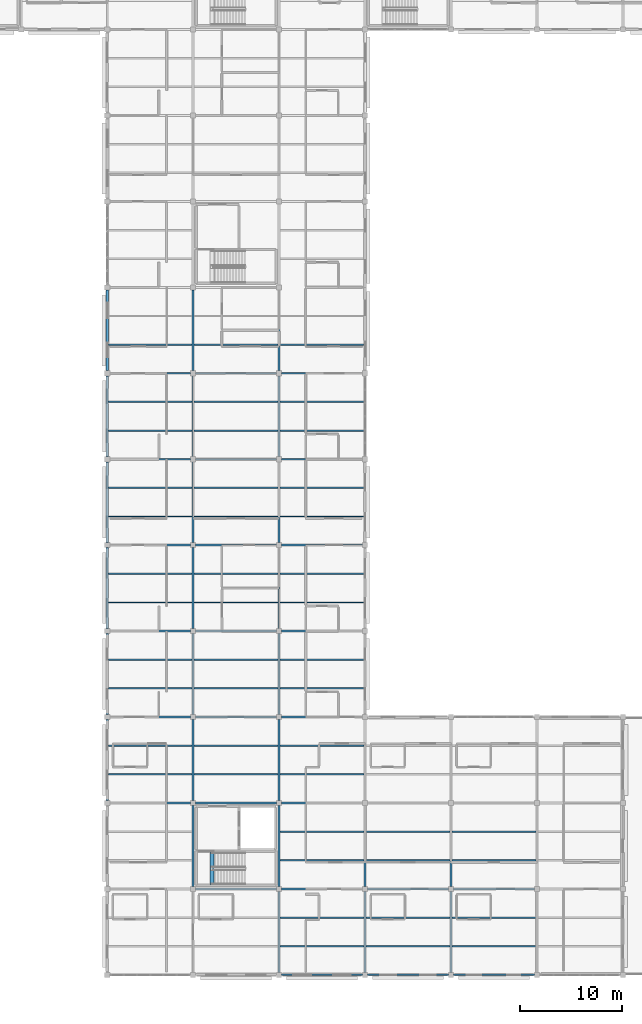
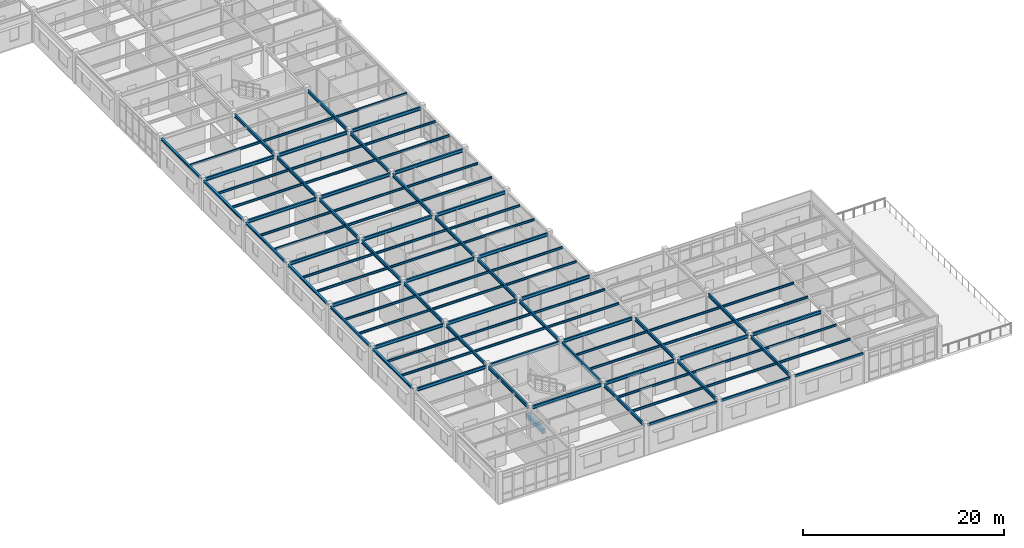
# One storey, part 5 of 53: 96 beams.
"""IFC4 building model written with IfcOpenShell, lengths in metres."""

from ifc_helpers import new_model, si_unit, direction, frame, origin, origin_2d, place, context, subcontext, project, spatial, rectangle, hollow_rectangle, i_section, extrude, material, material_profile, profile_set, type_object, element, save


model = new_model("IFC4")

# Units and contexts
model_context = context("Model", 3, precision=1e-05, world=origin(), true_north=direction((0.0, 1.0)))
body_context = subcontext(model_context, "Body", "Model", "MODEL_VIEW")
ifc_project = project(units=[si_unit("LENGTHUNIT", "METRE"), si_unit("AREAUNIT", "SQUARE_METRE"), si_unit("VOLUMEUNIT", "CUBIC_METRE"), si_unit("PLANEANGLEUNIT", "RADIAN"), si_unit("MASSUNIT", "GRAM", prefix="KILO")], contexts=[model_context])

# Site, building, storey
site_placement = place(None, origin())
site = spatial("IfcSite", under=ifc_project, at=site_placement, CompositionType="ELEMENT")
building_placement = place(site_placement, origin())
building = spatial("IfcBuilding", under=site, at=building_placement, Name="Bramfleet General Hospital", CompositionType="ELEMENT")
storey_placement = place(building_placement, frame((0.0, 0.0, 26.39990234375)))
storey = spatial("IfcBuildingStorey", under=building, at=storey_placement, Name="L06", CompositionType="ELEMENT", Elevation=26.39990234375)

# Beams
ifc_material_1 = material(Name="Steel S355", Category="steel")
ifc_material_profile_1 = material_profile(ifc_material_1, i_section(OverallWidth=0.239990234375, OverallDepth=0.22998046875, WebThickness=0.007568359375, FlangeThickness=0.011962890625, FilletRadius=0.02099609375, at=origin_2d()), Name="HEA 240")
ifc_profile_set_1 = profile_set([ifc_material_profile_1], Name="Steel S355")
beam_type_1 = type_object("IfcBeamType", Name="BM-HEA240", PredefinedType="SPANDREL", material=ifc_profile_set_1)
beam_1_placement = place(storey_placement, frame((92.39990234375, 17.050048828125, 3.505126953125), z_axis=(0.0, 1.0, 0.0), x_axis=(-1.0, 0.0, 0.0)))
element("IfcBeam", 1, at=beam_1_placement, inside=storey, type_object=beam_type_1, Name="L06 Grid Beam Y 11-02", PredefinedType="SPANDREL", context=body_context, shape_type="SweptSolid", body=[
    extrude(i_section(OverallWidth=0.239990234375, OverallDepth=0.22998046875, WebThickness=0.007568359375, FlangeThickness=0.011962890625, FilletRadius=0.02099609375, at=origin_2d()), origin(), (0.0, 0.0, 1.0), 7.89990234375),
])
beam_2_placement = place(storey_placement, frame((92.39990234375, 25.449951171875, 3.505126953125), z_axis=(0.0, 1.0, 0.0), x_axis=(-1.0, 0.0, 0.0)))
element("IfcBeam", 2, at=beam_2_placement, inside=storey, type_object=beam_type_1, Name="L06 Grid Beam Y 11-03", PredefinedType="SPANDREL", context=body_context, shape_type="SweptSolid", body=[
    extrude(i_section(OverallWidth=0.239990234375, OverallDepth=0.22998046875, WebThickness=0.007568359375, FlangeThickness=0.011962890625, FilletRadius=0.02099609375, at=origin_2d()), origin(), (0.0, 0.0, 1.0), 7.900146484375),
])
for number, where, z_axis, x_axis, name in (
    (3, (92.39990234375, 33.85009765625, 3.505126953125), (0.0, 1.0, 0.0), (-1.0, 0.0, 0.0), "L06 Grid Beam Y 11-04"),
    (4, (92.39990234375, 42.25, 3.505126953125), (0.0, 1.0, 0.0), (-1.0, 0.0, 0.0), "L06 Grid Beam Y 11-05"),
):
    element("IfcBeam", number, at=place(storey_placement, frame(where, z_axis=z_axis, x_axis=x_axis)), inside=storey, type_object=beam_type_1, Name=name, PredefinedType="SPANDREL", context=body_context, shape_type="SweptSolid", body=[
        extrude(i_section(OverallWidth=0.239990234375, OverallDepth=0.22998046875, WebThickness=0.007568359375, FlangeThickness=0.011962890625, FilletRadius=0.02099609375, at=origin_2d()), origin(), (0.0, 0.0, 1.0), 7.89990234375),
    ])
beam_3_placement = place(storey_placement, frame((92.39990234375, 50.64990234375, 3.505126953125), z_axis=(0.0, 1.0, 0.0), x_axis=(-1.0, 0.0, 0.0)))
element("IfcBeam", 5, at=beam_3_placement, inside=storey, type_object=beam_type_1, Name="L06 Grid Beam Y 11-06", PredefinedType="SPANDREL", context=body_context, shape_type="SweptSolid", body=[
    extrude(i_section(OverallWidth=0.239990234375, OverallDepth=0.22998046875, WebThickness=0.007568359375, FlangeThickness=0.011962890625, FilletRadius=0.02099609375, at=origin_2d()), origin(), (0.0, 0.0, 1.0), 7.900146484375),
])
beam_4_placement = place(storey_placement, frame((92.39990234375, 59.050048828125, 3.505126953125), z_axis=(0.0, 1.0, 0.0), x_axis=(-1.0, 0.0, 0.0)))
element("IfcBeam", 6, at=beam_4_placement, inside=storey, type_object=beam_type_1, Name="L06 Grid Beam Y 11-07", PredefinedType="SPANDREL", context=body_context, shape_type="SweptSolid", body=[
    extrude(i_section(OverallWidth=0.239990234375, OverallDepth=0.22998046875, WebThickness=0.007568359375, FlangeThickness=0.011962890625, FilletRadius=0.02099609375, at=origin_2d()), origin(), (0.0, 0.0, 1.0), 7.89990234375),
])
ifc_material_profile_2 = material_profile(ifc_material_1, i_section(OverallWidth=0.135009765625, OverallDepth=0.27001953125, WebThickness=0.006591796875, FlangeThickness=0.01025390625, FilletRadius=0.014892578125, at=origin_2d()), Name="IPE 270")
ifc_profile_set_2 = profile_set([ifc_material_profile_2], Name="Steel S355")
beam_type_2 = type_object("IfcBeamType", Name="BM-IPE270", PredefinedType="JOIST", material=ifc_profile_set_2)
for number, where, z_axis, x_axis, name in (
    (7, (92.52001953125, 19.60009765625, 3.485107421875), (1.0, 0.0, 0.0), (0.0, 1.0, 0.0), "L06 Secondary Joist 11-02-1"),
    (8, (92.52001953125, 22.39990234375, 3.485107421875), (1.0, 0.0, 0.0), (0.0, 1.0, 0.0), "L06 Secondary Joist 11-02-2"),
    (9, (92.52001953125, 28.0, 3.485107421875), (1.0, 0.0, 0.0), (0.0, 1.0, 0.0), "L06 Secondary Joist 11-03-1"),
    (10, (92.52001953125, 30.800048828125, 3.485107421875), (1.0, 0.0, 0.0), (0.0, 1.0, 0.0), "L06 Secondary Joist 11-03-2"),
    (11, (92.52001953125, 36.39990234375, 3.485107421875), (1.0, 0.0, 0.0), (0.0, 1.0, 0.0), "L06 Secondary Joist 11-04-1"),
    (12, (92.52001953125, 39.199951171875, 3.485107421875), (1.0, 0.0, 0.0), (0.0, 1.0, 0.0), "L06 Secondary Joist 11-04-2"),
    (13, (92.52001953125, 44.800048828125, 3.485107421875), (1.0, 0.0, 0.0), (0.0, 1.0, 0.0), "L06 Secondary Joist 11-05-1"),
    (14, (92.52001953125, 47.60009765625, 3.485107421875), (1.0, 0.0, 0.0), (0.0, 1.0, 0.0), "L06 Secondary Joist 11-05-2"),
    (15, (92.52001953125, 53.199951171875, 3.485107421875), (1.0, 0.0, 0.0), (0.0, 1.0, 0.0), "L06 Secondary Joist 11-06-1"),
    (16, (92.52001953125, 56.0, 3.485107421875), (1.0, 0.0, 0.0), (0.0, 1.0, 0.0), "L06 Secondary Joist 11-06-2"),
    (17, (92.52001953125, 61.60009765625, 3.485107421875), (1.0, 0.0, 0.0), (0.0, 1.0, 0.0), "L06 Secondary Joist 11-07-1"),
):
    element("IfcBeam", number, at=place(storey_placement, frame(where, z_axis=z_axis, x_axis=x_axis)), inside=storey, type_object=beam_type_2, Name=name, PredefinedType="JOIST", context=body_context, shape_type="SweptSolid", body=[
        extrude(i_section(OverallWidth=0.135009765625, OverallDepth=0.27001953125, WebThickness=0.006591796875, FlangeThickness=0.01025390625, FilletRadius=0.014892578125, at=origin_2d()), origin(), (0.0, 0.0, 1.0), 8.18994140625),
    ])
for number, where, z_axis, x_axis, name in (
    (18, (100.889892578125, 19.60009765625, 3.485107421875), (1.0, 0.0, 0.0), (0.0, 1.0, 0.0), "L06 Secondary Joist 12-02-1"),
    (19, (100.889892578125, 22.39990234375, 3.485107421875), (1.0, 0.0, 0.0), (0.0, 1.0, 0.0), "L06 Secondary Joist 12-02-2"),
    (20, (100.889892578125, 28.0, 3.485107421875), (1.0, 0.0, 0.0), (0.0, 1.0, 0.0), "L06 Secondary Joist 12-03-1"),
    (21, (100.889892578125, 30.800048828125, 3.485107421875), (1.0, 0.0, 0.0), (0.0, 1.0, 0.0), "L06 Secondary Joist 12-03-2"),
    (22, (100.889892578125, 36.39990234375, 3.485107421875), (1.0, 0.0, 0.0), (0.0, 1.0, 0.0), "L06 Secondary Joist 12-04-1"),
    (23, (100.889892578125, 39.199951171875, 3.485107421875), (1.0, 0.0, 0.0), (0.0, 1.0, 0.0), "L06 Secondary Joist 12-04-2"),
    (24, (100.889892578125, 44.800048828125, 3.485107421875), (1.0, 0.0, 0.0), (0.0, 1.0, 0.0), "L06 Secondary Joist 12-05-1"),
    (25, (100.889892578125, 47.60009765625, 3.485107421875), (1.0, 0.0, 0.0), (0.0, 1.0, 0.0), "L06 Secondary Joist 12-05-2"),
    (26, (100.889892578125, 53.199951171875, 3.485107421875), (1.0, 0.0, 0.0), (0.0, 1.0, 0.0), "L06 Secondary Joist 12-06-1"),
    (27, (100.889892578125, 56.0, 3.485107421875), (1.0, 0.0, 0.0), (0.0, 1.0, 0.0), "L06 Secondary Joist 12-06-2"),
    (28, (100.889892578125, 61.60009765625, 3.485107421875), (1.0, 0.0, 0.0), (0.0, 1.0, 0.0), "L06 Secondary Joist 12-07-1"),
):
    element("IfcBeam", number, at=place(storey_placement, frame(where, z_axis=z_axis, x_axis=x_axis)), inside=storey, type_object=beam_type_2, Name=name, PredefinedType="JOIST", context=body_context, shape_type="SweptSolid", body=[
        extrude(i_section(OverallWidth=0.135009765625, OverallDepth=0.27001953125, WebThickness=0.006591796875, FlangeThickness=0.01025390625, FilletRadius=0.014892578125, at=origin_2d()), origin(), (0.0, 0.0, 1.0), 8.22021484375),
    ])
for number, where, z_axis, x_axis, name in (
    (29, (109.2900390625, 2.800048828125, 3.485107421875), (1.0, 0.0, 0.0), (0.0, 1.0, 0.0), "L06 Secondary Joist 13-00-1"),
    (30, (109.2900390625, 5.60009765625, 3.485107421875), (1.0, 0.0, 0.0), (0.0, 1.0, 0.0), "L06 Secondary Joist 13-00-2"),
    (31, (109.2900390625, 11.199951171875, 3.485107421875), (1.0, 0.0, 0.0), (0.0, 1.0, 0.0), "L06 Secondary Joist 13-01-1"),
    (32, (109.2900390625, 14.0, 3.485107421875), (1.0, 0.0, 0.0), (0.0, 1.0, 0.0), "L06 Secondary Joist 13-01-2"),
    (33, (109.2900390625, 19.60009765625, 3.485107421875), (1.0, 0.0, 0.0), (0.0, 1.0, 0.0), "L06 Secondary Joist 13-02-1"),
    (34, (109.2900390625, 22.39990234375, 3.485107421875), (1.0, 0.0, 0.0), (0.0, 1.0, 0.0), "L06 Secondary Joist 13-02-2"),
):
    element("IfcBeam", number, at=place(storey_placement, frame(where, z_axis=z_axis, x_axis=x_axis)), inside=storey, type_object=beam_type_2, Name=name, PredefinedType="JOIST", context=body_context, shape_type="SweptSolid", body=[
        extrude(i_section(OverallWidth=0.135009765625, OverallDepth=0.27001953125, WebThickness=0.006591796875, FlangeThickness=0.01025390625, FilletRadius=0.014892578125, at=origin_2d()), origin(), (0.0, 0.0, 1.0), 8.219970703125),
    ])
for number, where, z_axis, x_axis, name in (
    (35, (109.2900390625, 28.0, 3.485107421875), (1.0, 0.0, 0.0), (0.0, 1.0, 0.0), "L06 Secondary Joist 13-03-1"),
    (36, (109.2900390625, 30.800048828125, 3.485107421875), (1.0, 0.0, 0.0), (0.0, 1.0, 0.0), "L06 Secondary Joist 13-03-2"),
    (37, (109.2900390625, 36.39990234375, 3.485107421875), (1.0, 0.0, 0.0), (0.0, 1.0, 0.0), "L06 Secondary Joist 13-04-1"),
    (38, (109.2900390625, 39.199951171875, 3.485107421875), (1.0, 0.0, 0.0), (0.0, 1.0, 0.0), "L06 Secondary Joist 13-04-2"),
    (39, (109.2900390625, 44.800048828125, 3.485107421875), (1.0, 0.0, 0.0), (0.0, 1.0, 0.0), "L06 Secondary Joist 13-05-1"),
    (40, (109.2900390625, 47.60009765625, 3.485107421875), (1.0, 0.0, 0.0), (0.0, 1.0, 0.0), "L06 Secondary Joist 13-05-2"),
    (41, (109.2900390625, 53.199951171875, 3.485107421875), (1.0, 0.0, 0.0), (0.0, 1.0, 0.0), "L06 Secondary Joist 13-06-1"),
    (42, (109.2900390625, 56.0, 3.485107421875), (1.0, 0.0, 0.0), (0.0, 1.0, 0.0), "L06 Secondary Joist 13-06-2"),
):
    element("IfcBeam", number, at=place(storey_placement, frame(where, z_axis=z_axis, x_axis=x_axis)), inside=storey, type_object=beam_type_2, Name=name, PredefinedType="JOIST", context=body_context, shape_type="SweptSolid", body=[
        extrude(i_section(OverallWidth=0.135009765625, OverallDepth=0.27001953125, WebThickness=0.006591796875, FlangeThickness=0.01025390625, FilletRadius=0.014892578125, at=origin_2d()), origin(), (0.0, 0.0, 1.0), 8.18994140625),
    ])
beam_5_placement = place(storey_placement, frame((109.2900390625, 61.60009765625, 3.485107421875), z_axis=(1.0, 0.0, 0.0), x_axis=(0.0, 1.0, 0.0)))
element("IfcBeam", 43, at=beam_5_placement, inside=storey, type_object=beam_type_2, Name="L06 Secondary Joist 13-07-1", PredefinedType="JOIST", context=body_context, shape_type="SweptSolid", body=[
    extrude(i_section(OverallWidth=0.135009765625, OverallDepth=0.27001953125, WebThickness=0.006591796875, FlangeThickness=0.01025390625, FilletRadius=0.014892578125, at=origin_2d()), origin(), (0.0, 0.0, 1.0), 8.159912109375),
])
for number, where, z_axis, x_axis, name in (
    (44, (117.68994140625, 2.800048828125, 3.485107421875), (1.0, 0.0, 0.0), (0.0, 1.0, 0.0), "L06 Secondary Joist 14-00-1"),
    (45, (117.68994140625, 5.60009765625, 3.485107421875), (1.0, 0.0, 0.0), (0.0, 1.0, 0.0), "L06 Secondary Joist 14-00-2"),
    (46, (117.68994140625, 11.199951171875, 3.485107421875), (1.0, 0.0, 0.0), (0.0, 1.0, 0.0), "L06 Secondary Joist 14-01-1"),
    (47, (117.68994140625, 14.0, 3.485107421875), (1.0, 0.0, 0.0), (0.0, 1.0, 0.0), "L06 Secondary Joist 14-01-2"),
    (48, (126.090087890625, 2.800048828125, 3.485107421875), (1.0, 0.0, 0.0), (0.0, 1.0, 0.0), "L06 Secondary Joist 15-00-1"),
    (49, (126.090087890625, 5.60009765625, 3.485107421875), (1.0, 0.0, 0.0), (0.0, 1.0, 0.0), "L06 Secondary Joist 15-00-2"),
    (50, (126.090087890625, 11.199951171875, 3.485107421875), (1.0, 0.0, 0.0), (0.0, 1.0, 0.0), "L06 Secondary Joist 15-01-1"),
    (51, (126.090087890625, 14.0, 3.485107421875), (1.0, 0.0, 0.0), (0.0, 1.0, 0.0), "L06 Secondary Joist 15-01-2"),
):
    element("IfcBeam", number, at=place(storey_placement, frame(where, z_axis=z_axis, x_axis=x_axis)), inside=storey, type_object=beam_type_2, Name=name, PredefinedType="JOIST", context=body_context, shape_type="SweptSolid", body=[
        extrude(i_section(OverallWidth=0.135009765625, OverallDepth=0.27001953125, WebThickness=0.006591796875, FlangeThickness=0.01025390625, FilletRadius=0.014892578125, at=origin_2d()), origin(), (0.0, 0.0, 1.0), 8.219970703125),
    ])
ifc_material_profile_3 = material_profile(ifc_material_1, i_section(OverallWidth=0.179931640625, OverallDepth=0.39990234375, WebThickness=0.008544921875, FlangeThickness=0.013427734375, FilletRadius=0.02099609375, at=origin_2d()), Name="IPE 400")
ifc_profile_set_3 = profile_set([ifc_material_profile_3], Name="Steel S355")
beam_type_3 = type_object("IfcBeamType", Name="BM-IPE400", PredefinedType="BEAM", material=ifc_profile_set_3)
for number, where, z_axis, x_axis, name in (
    (52, (92.64990234375, 16.800048828125, 3.420166015625), (1.0, 0.0, 0.0), (0.0, 1.0, 0.0), "L06 Grid Beam X 11-02"),
    (53, (92.64990234375, 25.199951171875, 3.420166015625), (1.0, 0.0, 0.0), (0.0, 1.0, 0.0), "L06 Grid Beam X 11-03"),
    (54, (92.64990234375, 33.60009765625, 3.420166015625), (1.0, 0.0, 0.0), (0.0, 1.0, 0.0), "L06 Grid Beam X 11-04"),
    (55, (92.64990234375, 42.0, 3.420166015625), (1.0, 0.0, 0.0), (0.0, 1.0, 0.0), "L06 Grid Beam X 11-05"),
    (56, (92.64990234375, 50.39990234375, 3.420166015625), (1.0, 0.0, 0.0), (0.0, 1.0, 0.0), "L06 Grid Beam X 11-06"),
    (57, (92.64990234375, 58.800048828125, 3.420166015625), (1.0, 0.0, 0.0), (0.0, 1.0, 0.0), "L06 Grid Beam X 11-07"),
):
    element("IfcBeam", number, at=place(storey_placement, frame(where, z_axis=z_axis, x_axis=x_axis)), inside=storey, type_object=beam_type_3, Name=name, PredefinedType="BEAM", context=body_context, shape_type="SweptSolid", body=[
        extrude(i_section(OverallWidth=0.179931640625, OverallDepth=0.39990234375, WebThickness=0.008544921875, FlangeThickness=0.013427734375, FilletRadius=0.02099609375, at=origin_2d()), origin(), (0.0, 0.0, 1.0), 7.900146484375),
    ])
for number, where, z_axis, x_axis, name in (
    (58, (101.050048828125, 8.39990234375, 3.420166015625), (1.0, 0.0, 0.0), (0.0, 1.0, 0.0), "L06 Grid Beam X 12-01"),
    (59, (101.050048828125, 16.800048828125, 3.420166015625), (1.0, 0.0, 0.0), (0.0, 1.0, 0.0), "L06 Grid Beam X 12-02"),
    (60, (101.050048828125, 25.199951171875, 3.420166015625), (1.0, 0.0, 0.0), (0.0, 1.0, 0.0), "L06 Grid Beam X 12-03"),
    (61, (101.050048828125, 33.60009765625, 3.420166015625), (1.0, 0.0, 0.0), (0.0, 1.0, 0.0), "L06 Grid Beam X 12-04"),
    (62, (101.050048828125, 42.0, 3.420166015625), (1.0, 0.0, 0.0), (0.0, 1.0, 0.0), "L06 Grid Beam X 12-05"),
    (63, (101.050048828125, 50.39990234375, 3.420166015625), (1.0, 0.0, 0.0), (0.0, 1.0, 0.0), "L06 Grid Beam X 12-06"),
    (64, (101.050048828125, 58.800048828125, 3.420166015625), (1.0, 0.0, 0.0), (0.0, 1.0, 0.0), "L06 Grid Beam X 12-07"),
):
    element("IfcBeam", number, at=place(storey_placement, frame(where, z_axis=z_axis, x_axis=x_axis)), inside=storey, type_object=beam_type_3, Name=name, PredefinedType="BEAM", context=body_context, shape_type="SweptSolid", body=[
        extrude(i_section(OverallWidth=0.179931640625, OverallDepth=0.39990234375, WebThickness=0.008544921875, FlangeThickness=0.013427734375, FilletRadius=0.02099609375, at=origin_2d()), origin(), (0.0, 0.0, 1.0), 7.89990234375),
    ])
for number, where, z_axis, x_axis, name in (
    (65, (109.449951171875, 8.39990234375, 3.420166015625), (1.0, 0.0, 0.0), (0.0, 1.0, 0.0), "L06 Grid Beam X 13-01"),
    (66, (109.449951171875, 16.800048828125, 3.420166015625), (1.0, 0.0, 0.0), (0.0, 1.0, 0.0), "L06 Grid Beam X 13-02"),
    (67, (109.449951171875, 25.199951171875, 3.420166015625), (1.0, 0.0, 0.0), (0.0, 1.0, 0.0), "L06 Grid Beam X 13-03"),
    (68, (109.449951171875, 33.60009765625, 3.420166015625), (1.0, 0.0, 0.0), (0.0, 1.0, 0.0), "L06 Grid Beam X 13-04"),
    (69, (109.449951171875, 42.0, 3.420166015625), (1.0, 0.0, 0.0), (0.0, 1.0, 0.0), "L06 Grid Beam X 13-05"),
    (70, (109.449951171875, 50.39990234375, 3.420166015625), (1.0, 0.0, 0.0), (0.0, 1.0, 0.0), "L06 Grid Beam X 13-06"),
    (71, (109.449951171875, 58.800048828125, 3.420166015625), (1.0, 0.0, 0.0), (0.0, 1.0, 0.0), "L06 Grid Beam X 13-07"),
):
    element("IfcBeam", number, at=place(storey_placement, frame(where, z_axis=z_axis, x_axis=x_axis)), inside=storey, type_object=beam_type_3, Name=name, PredefinedType="BEAM", context=body_context, shape_type="SweptSolid", body=[
        extrude(i_section(OverallWidth=0.179931640625, OverallDepth=0.39990234375, WebThickness=0.008544921875, FlangeThickness=0.013427734375, FilletRadius=0.02099609375, at=origin_2d()), origin(), (0.0, 0.0, 1.0), 7.900146484375),
    ])
for number, where, z_axis, x_axis, name in (
    (72, (117.85009765625, 8.39990234375, 3.420166015625), (1.0, 0.0, 0.0), (0.0, 1.0, 0.0), "L06 Grid Beam X 14-01"),
    (73, (126.25, 8.39990234375, 3.420166015625), (1.0, 0.0, 0.0), (0.0, 1.0, 0.0), "L06 Grid Beam X 15-01"),
):
    element("IfcBeam", number, at=place(storey_placement, frame(where, z_axis=z_axis, x_axis=x_axis)), inside=storey, type_object=beam_type_3, Name=name, PredefinedType="BEAM", context=body_context, shape_type="SweptSolid", body=[
        extrude(i_section(OverallWidth=0.179931640625, OverallDepth=0.39990234375, WebThickness=0.008544921875, FlangeThickness=0.013427734375, FilletRadius=0.02099609375, at=origin_2d()), origin(), (0.0, 0.0, 1.0), 7.89990234375),
    ])
beam_6_placement = place(storey_placement, frame((100.800048828125, 8.64990234375, 3.420166015625), z_axis=(0.0, 1.0, 0.0), x_axis=(-1.0, 0.0, 0.0)))
element("IfcBeam", 74, at=beam_6_placement, inside=storey, type_object=beam_type_3, Name="L06 Grid Beam Y 12-01", PredefinedType="BEAM", context=body_context, shape_type="SweptSolid", body=[
    extrude(i_section(OverallWidth=0.179931640625, OverallDepth=0.39990234375, WebThickness=0.008544921875, FlangeThickness=0.013427734375, FilletRadius=0.02099609375, at=origin_2d()), origin(), (0.0, 0.0, 1.0), 7.900146484375),
])
beam_7_placement = place(storey_placement, frame((100.800048828125, 17.050048828125, 3.420166015625), z_axis=(0.0, 1.0, 0.0), x_axis=(-1.0, 0.0, 0.0)))
element("IfcBeam", 75, at=beam_7_placement, inside=storey, type_object=beam_type_3, Name="L06 Grid Beam Y 12-02", PredefinedType="BEAM", context=body_context, shape_type="SweptSolid", body=[
    extrude(i_section(OverallWidth=0.179931640625, OverallDepth=0.39990234375, WebThickness=0.008544921875, FlangeThickness=0.013427734375, FilletRadius=0.02099609375, at=origin_2d()), origin(), (0.0, 0.0, 1.0), 7.89990234375),
])
beam_8_placement = place(storey_placement, frame((100.800048828125, 25.449951171875, 3.420166015625), z_axis=(0.0, 1.0, 0.0), x_axis=(-1.0, 0.0, 0.0)))
element("IfcBeam", 76, at=beam_8_placement, inside=storey, type_object=beam_type_3, Name="L06 Grid Beam Y 12-03", PredefinedType="BEAM", context=body_context, shape_type="SweptSolid", body=[
    extrude(i_section(OverallWidth=0.179931640625, OverallDepth=0.39990234375, WebThickness=0.008544921875, FlangeThickness=0.013427734375, FilletRadius=0.02099609375, at=origin_2d()), origin(), (0.0, 0.0, 1.0), 7.900146484375),
])
for number, where, z_axis, x_axis, name in (
    (77, (100.800048828125, 33.85009765625, 3.420166015625), (0.0, 1.0, 0.0), (-1.0, 0.0, 0.0), "L06 Grid Beam Y 12-04"),
    (78, (100.800048828125, 42.25, 3.420166015625), (0.0, 1.0, 0.0), (-1.0, 0.0, 0.0), "L06 Grid Beam Y 12-05"),
):
    element("IfcBeam", number, at=place(storey_placement, frame(where, z_axis=z_axis, x_axis=x_axis)), inside=storey, type_object=beam_type_3, Name=name, PredefinedType="BEAM", context=body_context, shape_type="SweptSolid", body=[
        extrude(i_section(OverallWidth=0.179931640625, OverallDepth=0.39990234375, WebThickness=0.008544921875, FlangeThickness=0.013427734375, FilletRadius=0.02099609375, at=origin_2d()), origin(), (0.0, 0.0, 1.0), 7.89990234375),
    ])
beam_9_placement = place(storey_placement, frame((100.800048828125, 50.64990234375, 3.420166015625), z_axis=(0.0, 1.0, 0.0), x_axis=(-1.0, 0.0, 0.0)))
element("IfcBeam", 79, at=beam_9_placement, inside=storey, type_object=beam_type_3, Name="L06 Grid Beam Y 12-06", PredefinedType="BEAM", context=body_context, shape_type="SweptSolid", body=[
    extrude(i_section(OverallWidth=0.179931640625, OverallDepth=0.39990234375, WebThickness=0.008544921875, FlangeThickness=0.013427734375, FilletRadius=0.02099609375, at=origin_2d()), origin(), (0.0, 0.0, 1.0), 7.900146484375),
])
for number, where, z_axis, x_axis, name in (
    (80, (100.800048828125, 59.050048828125, 3.420166015625), (0.0, 1.0, 0.0), (-1.0, 0.0, 0.0), "L06 Grid Beam Y 12-07"),
    (81, (109.199951171875, 0.25, 3.420166015625), (0.0, 1.0, 0.0), (-1.0, 0.0, 0.0), "L06 Grid Beam Y 13-00"),
):
    element("IfcBeam", number, at=place(storey_placement, frame(where, z_axis=z_axis, x_axis=x_axis)), inside=storey, type_object=beam_type_3, Name=name, PredefinedType="BEAM", context=body_context, shape_type="SweptSolid", body=[
        extrude(i_section(OverallWidth=0.179931640625, OverallDepth=0.39990234375, WebThickness=0.008544921875, FlangeThickness=0.013427734375, FilletRadius=0.02099609375, at=origin_2d()), origin(), (0.0, 0.0, 1.0), 7.89990234375),
    ])
beam_10_placement = place(storey_placement, frame((109.199951171875, 8.64990234375, 3.420166015625), z_axis=(0.0, 1.0, 0.0), x_axis=(-1.0, 0.0, 0.0)))
element("IfcBeam", 82, at=beam_10_placement, inside=storey, type_object=beam_type_3, Name="L06 Grid Beam Y 13-01", PredefinedType="BEAM", context=body_context, shape_type="SweptSolid", body=[
    extrude(i_section(OverallWidth=0.179931640625, OverallDepth=0.39990234375, WebThickness=0.008544921875, FlangeThickness=0.013427734375, FilletRadius=0.02099609375, at=origin_2d()), origin(), (0.0, 0.0, 1.0), 7.900146484375),
])
beam_11_placement = place(storey_placement, frame((109.199951171875, 17.050048828125, 3.420166015625), z_axis=(0.0, 1.0, 0.0), x_axis=(-1.0, 0.0, 0.0)))
element("IfcBeam", 83, at=beam_11_placement, inside=storey, type_object=beam_type_3, Name="L06 Grid Beam Y 13-02", PredefinedType="BEAM", context=body_context, shape_type="SweptSolid", body=[
    extrude(i_section(OverallWidth=0.179931640625, OverallDepth=0.39990234375, WebThickness=0.008544921875, FlangeThickness=0.013427734375, FilletRadius=0.02099609375, at=origin_2d()), origin(), (0.0, 0.0, 1.0), 7.89990234375),
])
beam_12_placement = place(storey_placement, frame((109.199951171875, 25.449951171875, 3.420166015625), z_axis=(0.0, 1.0, 0.0), x_axis=(-1.0, 0.0, 0.0)))
element("IfcBeam", 84, at=beam_12_placement, inside=storey, type_object=beam_type_3, Name="L06 Grid Beam Y 13-03", PredefinedType="BEAM", context=body_context, shape_type="SweptSolid", body=[
    extrude(i_section(OverallWidth=0.179931640625, OverallDepth=0.39990234375, WebThickness=0.008544921875, FlangeThickness=0.013427734375, FilletRadius=0.02099609375, at=origin_2d()), origin(), (0.0, 0.0, 1.0), 7.900146484375),
])
for number, where, z_axis, x_axis, name in (
    (85, (109.199951171875, 33.85009765625, 3.420166015625), (0.0, 1.0, 0.0), (-1.0, 0.0, 0.0), "L06 Grid Beam Y 13-04"),
    (86, (109.199951171875, 42.25, 3.420166015625), (0.0, 1.0, 0.0), (-1.0, 0.0, 0.0), "L06 Grid Beam Y 13-05"),
):
    element("IfcBeam", number, at=place(storey_placement, frame(where, z_axis=z_axis, x_axis=x_axis)), inside=storey, type_object=beam_type_3, Name=name, PredefinedType="BEAM", context=body_context, shape_type="SweptSolid", body=[
        extrude(i_section(OverallWidth=0.179931640625, OverallDepth=0.39990234375, WebThickness=0.008544921875, FlangeThickness=0.013427734375, FilletRadius=0.02099609375, at=origin_2d()), origin(), (0.0, 0.0, 1.0), 7.89990234375),
    ])
beam_13_placement = place(storey_placement, frame((109.199951171875, 50.64990234375, 3.420166015625), z_axis=(0.0, 1.0, 0.0), x_axis=(-1.0, 0.0, 0.0)))
element("IfcBeam", 87, at=beam_13_placement, inside=storey, type_object=beam_type_3, Name="L06 Grid Beam Y 13-06", PredefinedType="BEAM", context=body_context, shape_type="SweptSolid", body=[
    extrude(i_section(OverallWidth=0.179931640625, OverallDepth=0.39990234375, WebThickness=0.008544921875, FlangeThickness=0.013427734375, FilletRadius=0.02099609375, at=origin_2d()), origin(), (0.0, 0.0, 1.0), 7.900146484375),
])
for number, where, z_axis, x_axis, name in (
    (88, (109.199951171875, 59.050048828125, 3.420166015625), (0.0, 1.0, 0.0), (-1.0, 0.0, 0.0), "L06 Grid Beam Y 13-07"),
    (89, (117.60009765625, 0.25, 3.420166015625), (0.0, 1.0, 0.0), (-1.0, 0.0, 0.0), "L06 Grid Beam Y 14-00"),
):
    element("IfcBeam", number, at=place(storey_placement, frame(where, z_axis=z_axis, x_axis=x_axis)), inside=storey, type_object=beam_type_3, Name=name, PredefinedType="BEAM", context=body_context, shape_type="SweptSolid", body=[
        extrude(i_section(OverallWidth=0.179931640625, OverallDepth=0.39990234375, WebThickness=0.008544921875, FlangeThickness=0.013427734375, FilletRadius=0.02099609375, at=origin_2d()), origin(), (0.0, 0.0, 1.0), 7.89990234375),
    ])
beam_14_placement = place(storey_placement, frame((117.60009765625, 8.64990234375, 3.420166015625), z_axis=(0.0, 1.0, 0.0), x_axis=(-1.0, 0.0, 0.0)))
element("IfcBeam", 90, at=beam_14_placement, inside=storey, type_object=beam_type_3, Name="L06 Grid Beam Y 14-01", PredefinedType="BEAM", context=body_context, shape_type="SweptSolid", body=[
    extrude(i_section(OverallWidth=0.179931640625, OverallDepth=0.39990234375, WebThickness=0.008544921875, FlangeThickness=0.013427734375, FilletRadius=0.02099609375, at=origin_2d()), origin(), (0.0, 0.0, 1.0), 7.900146484375),
])
beam_15_placement = place(storey_placement, frame((126.0, 0.25, 3.420166015625), z_axis=(0.0, 1.0, 0.0), x_axis=(-1.0, 0.0, 0.0)))
element("IfcBeam", 91, at=beam_15_placement, inside=storey, type_object=beam_type_3, Name="L06 Grid Beam Y 15-00", PredefinedType="BEAM", context=body_context, shape_type="SweptSolid", body=[
    extrude(i_section(OverallWidth=0.179931640625, OverallDepth=0.39990234375, WebThickness=0.008544921875, FlangeThickness=0.013427734375, FilletRadius=0.02099609375, at=origin_2d()), origin(), (0.0, 0.0, 1.0), 7.89990234375),
])
beam_16_placement = place(storey_placement, frame((126.0, 8.64990234375, 3.420166015625), z_axis=(0.0, 1.0, 0.0), x_axis=(-1.0, 0.0, 0.0)))
element("IfcBeam", 92, at=beam_16_placement, inside=storey, type_object=beam_type_3, Name="L06 Grid Beam Y 15-01", PredefinedType="BEAM", context=body_context, shape_type="SweptSolid", body=[
    extrude(i_section(OverallWidth=0.179931640625, OverallDepth=0.39990234375, WebThickness=0.008544921875, FlangeThickness=0.013427734375, FilletRadius=0.02099609375, at=origin_2d()), origin(), (0.0, 0.0, 1.0), 7.900146484375),
])
ifc_material_2 = material(Name="Concrete C35/45", Category="concrete")
ifc_material_profile_4 = material_profile(ifc_material_2, rectangle(XDim=0.35009765625, YDim=0.550048828125, at=origin_2d()), Name="RC BM 550x350")
ifc_profile_set_4 = profile_set([ifc_material_profile_4], Name="Concrete C35/45")
beam_type_4 = type_object("IfcBeamType", Name="BM-RC550", PredefinedType="BEAM", material=ifc_profile_set_4)
beam_17_placement = place(storey_placement, frame((102.639892578125, 8.780029296875, -0.27490234375), z_axis=(0.0, 1.0, 0.0), x_axis=(-1.0, 0.0, 0.0)))
element("IfcBeam", 93, at=beam_17_placement, inside=storey, type_object=beam_type_4, Name="L06 C3 Stairwell Trimmer Beam", PredefinedType="BEAM", context=body_context, shape_type="SweptSolid", body=[
    extrude(rectangle(XDim=0.35009765625, YDim=0.550048828125, at=origin_2d()), origin(), (0.0, 0.0, 1.0), 3.320068359375),
])
ifc_material_profile_5 = material_profile(ifc_material_1, hollow_rectangle(XDim=0.14990234375, YDim=0.25, WallThickness=0.010009765625, at=origin_2d()), Name="RHS 250x150x10.0")
ifc_profile_set_5 = profile_set([ifc_material_profile_5], Name="Steel S355")
beam_type_5 = type_object("IfcBeamType", Name="BM-RHS250", PredefinedType="SPANDREL", material=ifc_profile_set_5)
beam_18_placement = place(storey_placement, frame((109.449951171875, 0.0, 3.4951171875), z_axis=(1.0, 0.0, 0.0), x_axis=(0.0, 1.0, 0.0)))
element("IfcBeam", 94, at=beam_18_placement, inside=storey, type_object=beam_type_5, Name="L06 Grid Beam X 13-00", PredefinedType="SPANDREL", context=body_context, shape_type="SweptSolid", body=[
    extrude(hollow_rectangle(XDim=0.14990234375, YDim=0.25, WallThickness=0.010009765625, at=origin_2d()), origin(), (0.0, 0.0, 1.0), 7.900146484375),
])
for number, where, z_axis, x_axis, name in (
    (95, (117.85009765625, 0.0, 3.4951171875), (1.0, 0.0, 0.0), (0.0, 1.0, 0.0), "L06 Grid Beam X 14-00"),
    (96, (126.25, 0.0, 3.4951171875), (1.0, 0.0, 0.0), (0.0, 1.0, 0.0), "L06 Grid Beam X 15-00"),
):
    element("IfcBeam", number, at=place(storey_placement, frame(where, z_axis=z_axis, x_axis=x_axis)), inside=storey, type_object=beam_type_5, Name=name, PredefinedType="SPANDREL", context=body_context, shape_type="SweptSolid", body=[
        extrude(hollow_rectangle(XDim=0.14990234375, YDim=0.25, WallThickness=0.010009765625, at=origin_2d()), origin(), (0.0, 0.0, 1.0), 7.89990234375),
    ])

save(model, "model.ifc")
